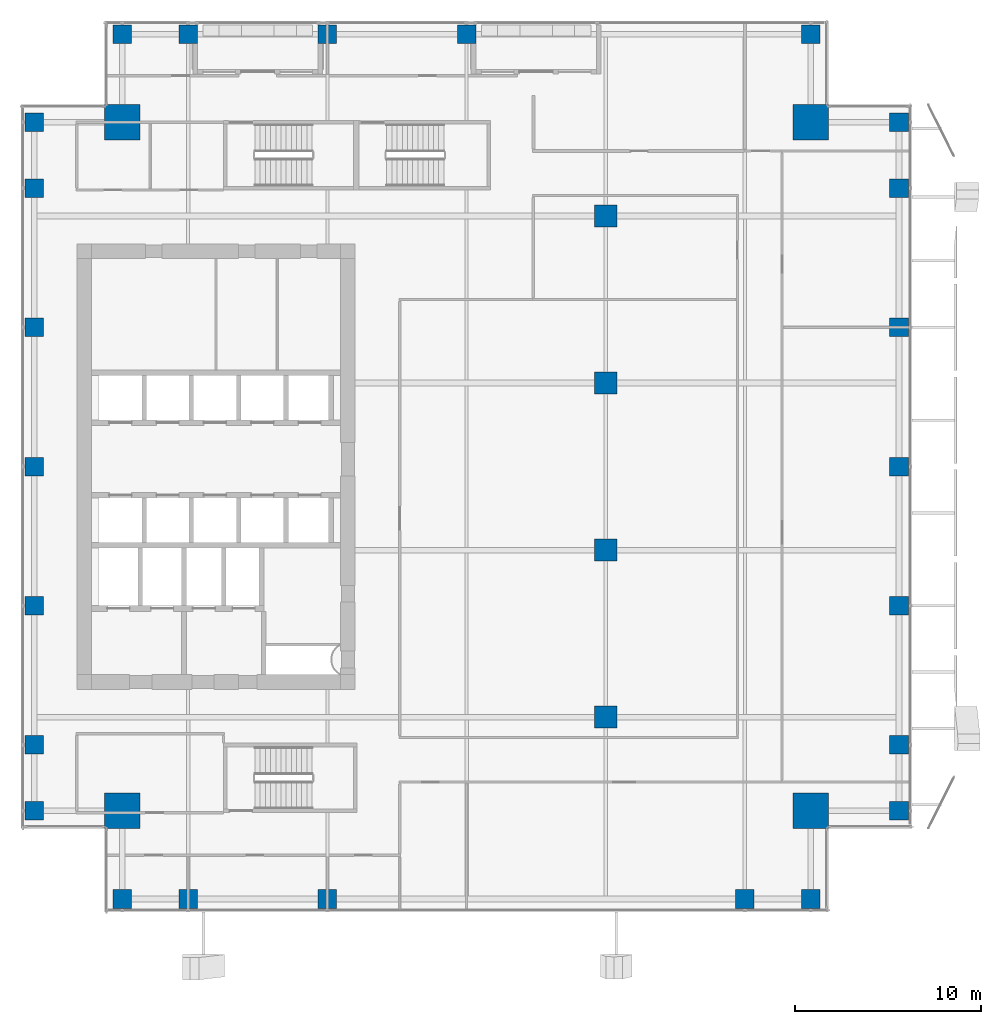
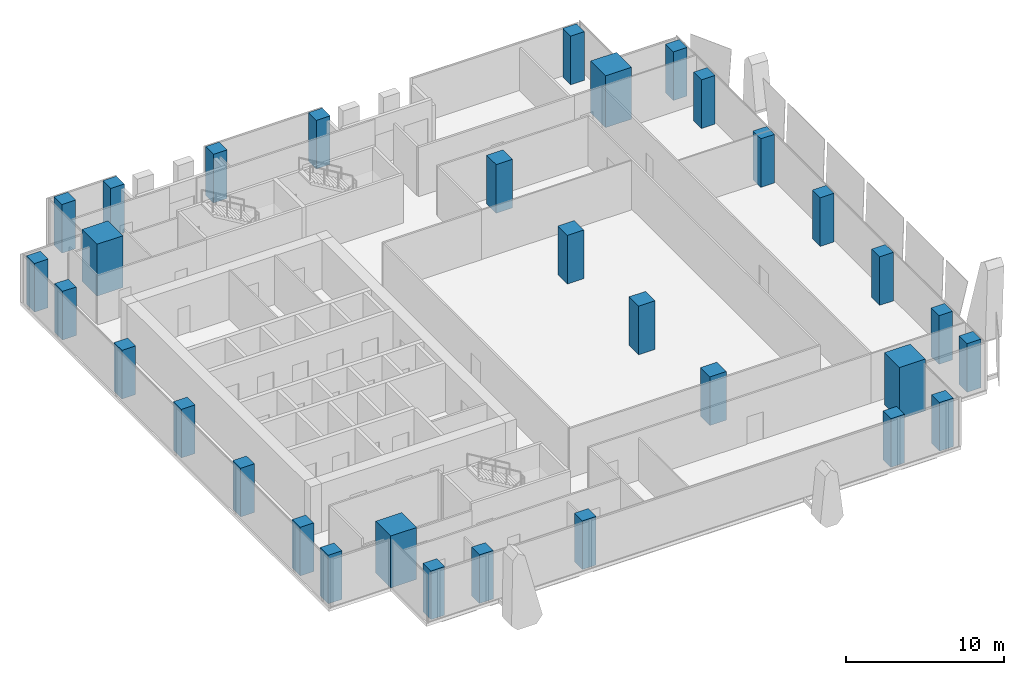
# One storey, part 1 of 38: 32 columns.
"""IFC4 building model written with IfcOpenShell, lengths in metres."""

from ifc_helpers import new_model, si_unit, direction, frame, origin, origin_2d, place, context, subcontext, project, spatial, rectangle, extrude, source, transform, mapped, material, material_profile, profile_set, type_object, element, save


model = new_model("IFC4")

# Units and contexts
model_context = context("Model", 3, precision=1e-05, world=origin(), true_north=direction((0.0, 1.0)))
body_context = subcontext(model_context, "Body", "Model", "MODEL_VIEW")
ifc_project = project(units=[si_unit("LENGTHUNIT", "METRE"), si_unit("AREAUNIT", "SQUARE_METRE"), si_unit("VOLUMEUNIT", "CUBIC_METRE"), si_unit("PLANEANGLEUNIT", "RADIAN"), si_unit("MASSUNIT", "GRAM", prefix="KILO")], contexts=[model_context])

# Site, building, storey
site_placement = place(None, origin())
site = spatial("IfcSite", under=ifc_project, at=site_placement, CompositionType="ELEMENT")
building_placement = place(site_placement, origin())
building = spatial("IfcBuilding", under=site, at=building_placement, Name="Khomas Fold Tower", CompositionType="ELEMENT")
storey_placement = place(building_placement, frame((0.0, 0.0, 208.699951171875)))
storey = spatial("IfcBuildingStorey", under=building, at=storey_placement, Name="L46", CompositionType="ELEMENT", Elevation=208.699951171875)

# Columns
ifc_material_1 = material(Name="Concrete C60/75", Category="concrete")
ifc_material_profile_1 = material_profile(ifc_material_1, rectangle(XDim=1.89990234375, YDim=1.89990234375, at=origin_2d()), Name="RC 1900x1900")
ifc_profile_set_1 = profile_set([ifc_material_profile_1], Name="Concrete C60/75")
column_type_1 = type_object("IfcColumnType", Name="RC 1900x1900 column", PredefinedType="COLUMN", material=ifc_profile_set_1)
shared_shape_1 = source(origin(), body_context, "Body", "SweptSolid", [
    extrude(rectangle(XDim=1.89990234375, YDim=1.89990234375, at=origin_2d()), origin(), (0.0, 0.0, 1.0), 4.0),
])
for number, where, z_axis, x_axis, name in (
    (1, (45.550048828125, 45.550048828125, 0.0), (0.0, 0.0, 1.0), (1.0, 0.0, 0.0), "CM-NE"),
    (2, (8.449951171875, 45.550048828125, 0.0), (0.0, 0.0, 1.0), (1.0, 0.0, 0.0), "CM-NW"),
    (3, (45.550048828125, 8.449951171875, 0.0), (0.0, 0.0, 1.0), (1.0, 0.0, 0.0), "CM-SE"),
    (4, (8.449951171875, 8.449951171875, 0.0), (0.0, 0.0, 1.0), (1.0, 0.0, 0.0), "CM-SW"),
):
    element("IfcColumn", number, at=place(storey_placement, frame(where, z_axis=z_axis, x_axis=x_axis)), inside=storey, type_object=column_type_1, Name=name, PredefinedType="COLUMN", context=body_context, shape_type="MappedRepresentation", body=[
        mapped(shared_shape_1, transform((0.0, 0.0, 0.0))),
    ])
ifc_material_2 = material(Name="Concrete C50/60", Category="concrete")
ifc_material_profile_2 = material_profile(ifc_material_2, rectangle(XDim=1.0, YDim=1.0, at=origin_2d()), Name="RC 1000x1000")
ifc_profile_set_2 = profile_set([ifc_material_profile_2], Name="Concrete C50/60")
column_type_2 = type_object("IfcColumnType", Name="RC 1000x1000 column", PredefinedType="COLUMN", material=ifc_profile_set_2)
shared_shape_2 = source(origin(), body_context, "Body", "SweptSolid", [
    extrude(rectangle(XDim=1.0, YDim=1.0, at=origin_2d()), origin(), (0.0, 0.0, 1.0), 3.75),
])
for number, where, z_axis, x_axis, name in (
    (5, (8.449951171875, 3.699951171875, 0.0), (0.0, 0.0, 1.0), (1.0, 0.0, 0.0), "C-4-SF3"),
    (6, (12.0, 3.699951171875, 0.0), (0.0, 0.0, 1.0), (1.0, 0.0, 0.0), "C-6-SF3"),
    (7, (19.5, 3.699951171875, 0.0), (0.0, 0.0, 1.0), (1.0, 0.0, 0.0), "C-8-SF3"),
    (8, (42.0, 3.699951171875, 0.0), (0.0, 0.0, 1.0), (1.0, 0.0, 0.0), "C-13-SF3"),
    (9, (45.550048828125, 3.699951171875, 0.0), (0.0, 0.0, 1.0), (1.0, 0.0, 0.0), "C-15-SF3"),
    (10, (50.300048828125, 8.449951171875, 0.0), (0.0, 0.0, 1.0), (1.0, 0.0, 0.0), "C-E3-D"),
    (11, (50.300048828125, 12.0, 0.0), (0.0, 0.0, 1.0), (1.0, 0.0, 0.0), "C-E3-F"),
    (12, (50.300048828125, 19.5, 0.0), (0.0, 0.0, 1.0), (1.0, 0.0, 0.0), "C-E3-J"),
    (13, (50.300048828125, 27.0, 0.0), (0.0, 0.0, 1.0), (1.0, 0.0, 0.0), "C-E3-L"),
    (14, (50.300048828125, 34.5, 0.0), (0.0, 0.0, 1.0), (1.0, 0.0, 0.0), "C-E3-N"),
    (15, (50.300048828125, 42.0, 0.0), (0.0, 0.0, 1.0), (1.0, 0.0, 0.0), "C-E3-R"),
    (16, (50.300048828125, 45.550048828125, 0.0), (0.0, 0.0, 1.0), (1.0, 0.0, 0.0), "C-E3-T"),
    (17, (8.449951171875, 50.300048828125, 0.0), (0.0, 0.0, 1.0), (1.0, 0.0, 0.0), "C-4-NF3"),
    (18, (12.0, 50.300048828125, 0.0), (0.0, 0.0, 1.0), (1.0, 0.0, 0.0), "C-6-NF3"),
    (19, (19.5, 50.300048828125, 0.0), (0.0, 0.0, 1.0), (1.0, 0.0, 0.0), "C-8-NF3"),
    (20, (27.0, 50.300048828125, 0.0), (0.0, 0.0, 1.0), (1.0, 0.0, 0.0), "C-9-NF3"),
    (21, (45.550048828125, 50.300048828125, 0.0), (0.0, 0.0, 1.0), (1.0, 0.0, 0.0), "C-15-NF3"),
    (22, (3.699951171875, 8.449951171875, 0.0), (0.0, 0.0, 1.0), (1.0, 0.0, 0.0), "C-W3-D"),
    (23, (3.699951171875, 12.0, 0.0), (0.0, 0.0, 1.0), (1.0, 0.0, 0.0), "C-W3-F"),
    (24, (3.699951171875, 19.5, 0.0), (0.0, 0.0, 1.0), (1.0, 0.0, 0.0), "C-W3-J"),
    (25, (3.699951171875, 27.0, 0.0), (0.0, 0.0, 1.0), (1.0, 0.0, 0.0), "C-W3-L"),
    (26, (3.699951171875, 34.5, 0.0), (0.0, 0.0, 1.0), (1.0, 0.0, 0.0), "C-W3-N"),
    (27, (3.699951171875, 42.0, 0.0), (0.0, 0.0, 1.0), (1.0, 0.0, 0.0), "C-W3-R"),
    (28, (3.699951171875, 45.550048828125, 0.0), (0.0, 0.0, 1.0), (1.0, 0.0, 0.0), "C-W3-T"),
):
    element("IfcColumn", number, at=place(storey_placement, frame(where, z_axis=z_axis, x_axis=x_axis)), inside=storey, type_object=column_type_2, Name=name, PredefinedType="COLUMN", context=body_context, shape_type="MappedRepresentation", body=[
        mapped(shared_shape_2, transform((0.0, 0.0, 0.0))),
    ])
ifc_material_3 = material(Name="Concrete C60/75", Category="concrete")
ifc_material_profile_3 = material_profile(ifc_material_3, rectangle(XDim=1.199951171875, YDim=1.199951171875, at=origin_2d()), Name="RC 1200x1200")
ifc_profile_set_3 = profile_set([ifc_material_profile_3], Name="Concrete C60/75")
column_type_3 = type_object("IfcColumnType", Name="RC 1200x1200 column", PredefinedType="COLUMN", material=ifc_profile_set_3)
shared_shape_3 = source(origin(), body_context, "Body", "SweptSolid", [
    extrude(rectangle(XDim=1.199951171875, YDim=1.199951171875, at=origin_2d()), origin(), (0.0, 0.0, 1.0), 3.75),
])
for number, where, z_axis, x_axis, name in (
    (29, (34.5, 13.5, 0.0), (0.0, 0.0, 1.0), (1.0, 0.0, 0.0), "C-10-H"),
    (30, (34.5, 22.5, 0.0), (0.0, 0.0, 1.0), (1.0, 0.0, 0.0), "C-10-K"),
    (31, (34.5, 31.5, 0.0), (0.0, 0.0, 1.0), (1.0, 0.0, 0.0), "C-10-M"),
    (32, (34.5, 40.5, 0.0), (0.0, 0.0, 1.0), (1.0, 0.0, 0.0), "C-10-P"),
):
    element("IfcColumn", number, at=place(storey_placement, frame(where, z_axis=z_axis, x_axis=x_axis)), inside=storey, type_object=column_type_3, Name=name, PredefinedType="COLUMN", context=body_context, shape_type="MappedRepresentation", body=[
        mapped(shared_shape_3, transform((0.0, 0.0, 0.0))),
    ])

save(model, "model.ifc")
